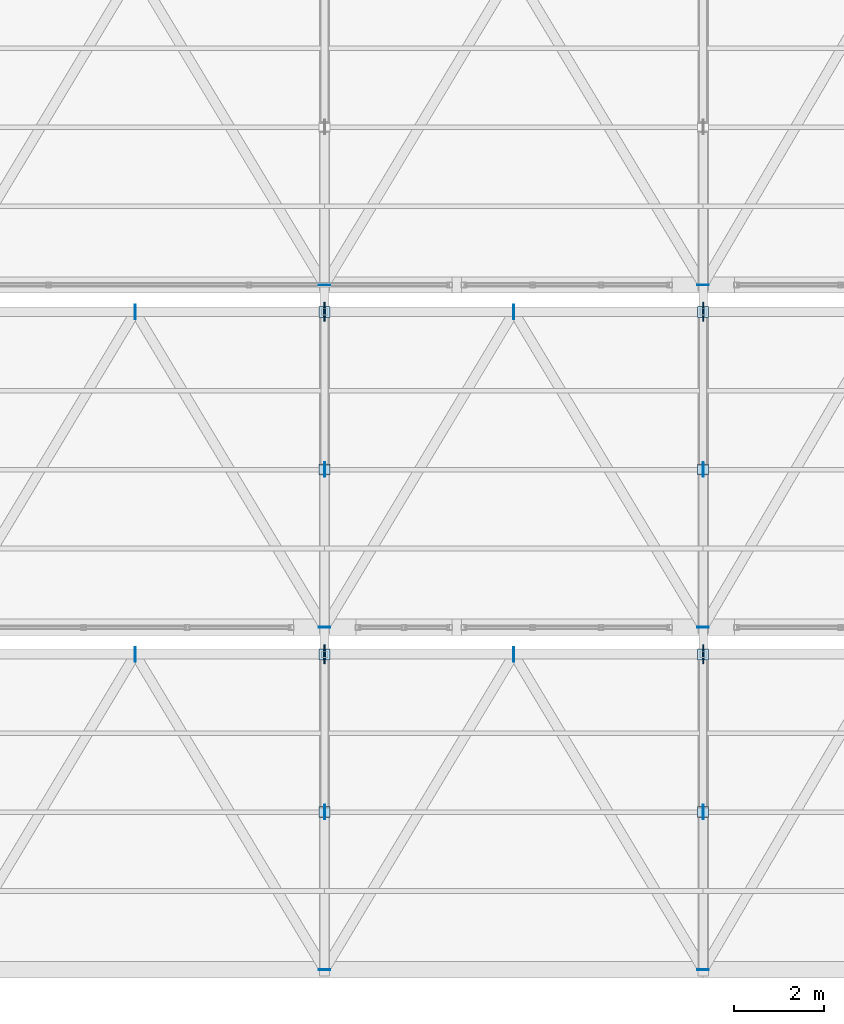
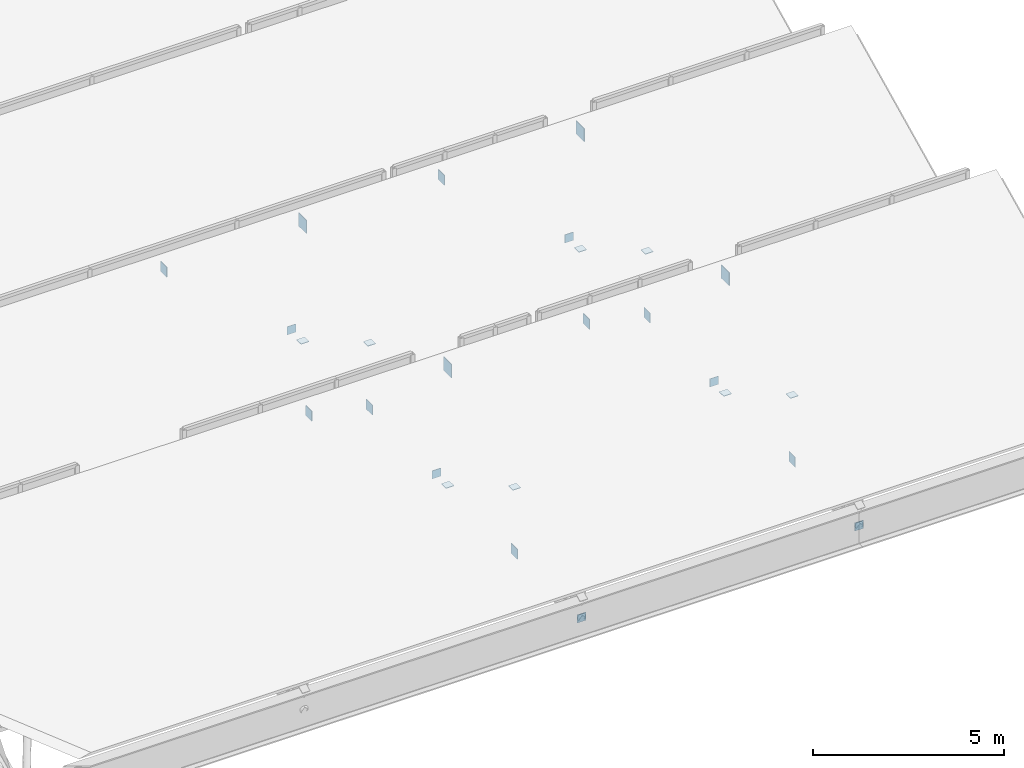
# One storey, part 45 of 57: 26 plates.
"""IFC4 building model written with IfcOpenShell, lengths in metres."""

from ifc_helpers import new_model, si_unit, direction, frame, origin, origin_2d, place, context, subcontext, project, spatial, rectangle, extrude, material, layer, layer_set, type_object, element, save


model = new_model("IFC4")

# Units and contexts
model_context = context("Model", 3, precision=1e-05, world=origin(), true_north=direction((0.0, 1.0)))
body_context = subcontext(model_context, "Body", "Model", "MODEL_VIEW")
ifc_project = project(units=[si_unit("LENGTHUNIT", "METRE"), si_unit("AREAUNIT", "SQUARE_METRE"), si_unit("VOLUMEUNIT", "CUBIC_METRE"), si_unit("PLANEANGLEUNIT", "RADIAN"), si_unit("MASSUNIT", "GRAM", prefix="KILO")], contexts=[model_context])

# Site, building, storey
site_placement = place(None, origin())
site = spatial("IfcSite", under=ifc_project, at=site_placement, CompositionType="ELEMENT")
building_placement = place(site_placement, origin())
building = spatial("IfcBuilding", under=site, at=building_placement, Name="Zuvorla Pavilion Media Centre", CompositionType="ELEMENT")
storey_placement = place(building_placement, frame((0.0, 0.0, 18.0)))
storey = spatial("IfcBuildingStorey", under=building, at=storey_placement, Name="L04", CompositionType="ELEMENT", Elevation=18.0)

# Plates
ifc_material = material(Name="Steel S355", Category="steel")
ifc_layer_1 = layer(ifc_material, 0.01611328125)
ifc_layer_set_1 = layer_set([ifc_layer_1], Name="Steel S355")
plate_type_1 = type_object("IfcPlateType", Name="PLT-CAP-16", PredefinedType="USERDEFINED", material=ifc_layer_set_1)
for number, where, z_axis, x_axis, name in (
    (1, (142.39990234375, 6.0, -1.009765625), (0.0, 0.0, 1.0), (1.0, 0.0, 0.0), "L04 cap plate CP16 98"),
    (2, (150.800048828125, 6.0, -1.009765625), (0.0, 0.0, 1.0), (1.0, 0.0, 0.0), "L04 cap plate CP16 100"),
    (3, (142.39990234375, 13.60009765625, -1.009765625), (0.0, 0.0, 1.0), (1.0, 0.0, 0.0), "L04 cap plate CP16 110"),
    (4, (150.800048828125, 13.60009765625, -1.009765625), (0.0, 0.0, 1.0), (1.0, 0.0, 0.0), "L04 cap plate CP16 112"),
    (5, (142.39990234375, 21.199951171875, -1.009765625), (0.0, 0.0, 1.0), (1.0, 0.0, 0.0), "L04 cap plate CP16 122"),
    (6, (150.800048828125, 21.199951171875, -1.009765625), (0.0, 0.0, 1.0), (1.0, 0.0, 0.0), "L04 cap plate CP16 124"),
):
    element("IfcPlate", number, at=place(storey_placement, frame(where, z_axis=z_axis, x_axis=x_axis)), inside=storey, type_object=plate_type_1, Name=name, ObjectType="CAP_PLATE", PredefinedType="USERDEFINED", context=body_context, shape_type="SweptSolid", body=[
        extrude(rectangle(XDim=0.260009765625, YDim=0.01611328125, at=origin_2d()), origin(), (0.0, 0.0, 1.0), 0.260009765625),
    ])
for number, where, z_axis, x_axis, name in (
    (7, (142.39990234375, 13.0, -0.887939453125), (0.0, 0.0, 1.0), (1.0, 0.0, 0.0), "L04 cap plate CP16 401"),
    (8, (142.39990234375, 9.5, 1.171875), (0.0, 0.0, 1.0), (1.0, 0.0, 0.0), "L04 cap plate CP16 403"),
    (9, (150.800048828125, 13.0, -0.887939453125), (0.0, 0.0, 1.0), (1.0, 0.0, 0.0), "L04 cap plate CP16 404"),
    (10, (150.800048828125, 9.5, 1.171875), (0.0, 0.0, 1.0), (1.0, 0.0, 0.0), "L04 cap plate CP16 406"),
    (11, (142.39990234375, 20.60009765625, -0.887939453125), (0.0, 0.0, 1.0), (1.0, 0.0, 0.0), "L04 cap plate CP16 424"),
    (12, (142.39990234375, 17.10009765625, 1.171875), (0.0, 0.0, 1.0), (1.0, 0.0, 0.0), "L04 cap plate CP16 426"),
    (13, (150.800048828125, 20.60009765625, -0.887939453125), (0.0, 0.0, 1.0), (1.0, 0.0, 0.0), "L04 cap plate CP16 427"),
    (14, (150.800048828125, 17.10009765625, 1.171875), (0.0, 0.0, 1.0), (1.0, 0.0, 0.0), "L04 cap plate CP16 429"),
):
    element("IfcPlate", number, at=place(storey_placement, frame(where, z_axis=z_axis, x_axis=x_axis)), inside=storey, type_object=plate_type_1, Name=name, ObjectType="CAP_PLATE", PredefinedType="USERDEFINED", context=body_context, shape_type="SweptSolid", body=[
        extrude(rectangle(XDim=0.239990234375, YDim=0.239990234375, at=origin_2d()), origin(), (0.0, 0.0, 1.0), 0.01611328125),
    ])
ifc_layer_2 = layer(ifc_material, 0.02001953125)
ifc_layer_set_2 = layer_set([ifc_layer_2], Name="Steel S355")
plate_type_2 = type_object("IfcPlateType", Name="PLT-GUS-20", PredefinedType="USERDEFINED", material=ifc_layer_set_2)
for number, where, z_axis, x_axis, name in (
    (15, (142.39990234375, 9.5, -1.0400390625), (0.0, 0.0, 1.0), (1.0, 0.0, 0.0), "L04 gusset plate GP20 402"),
    (16, (150.800048828125, 9.5, -1.0400390625), (0.0, 0.0, 1.0), (1.0, 0.0, 0.0), "L04 gusset plate GP20 405"),
    (17, (138.199951171875, 13.0, 2.7197265625), (0.0, 0.0, 1.0), (1.0, 0.0, 0.0), "L04 gusset plate GP20 412"),
    (18, (146.60009765625, 13.0, 2.7197265625), (0.0, 0.0, 1.0), (1.0, 0.0, 0.0), "L04 gusset plate GP20 413"),
    (19, (142.39990234375, 17.10009765625, -1.0400390625), (0.0, 0.0, 1.0), (1.0, 0.0, 0.0), "L04 gusset plate GP20 425"),
    (20, (150.800048828125, 17.10009765625, -1.0400390625), (0.0, 0.0, 1.0), (1.0, 0.0, 0.0), "L04 gusset plate GP20 428"),
    (21, (138.199951171875, 20.60009765625, 2.7197265625), (0.0, 0.0, 1.0), (1.0, 0.0, 0.0), "L04 gusset plate GP20 435"),
    (22, (146.60009765625, 20.60009765625, 2.7197265625), (0.0, 0.0, 1.0), (1.0, 0.0, 0.0), "L04 gusset plate GP20 436"),
):
    element("IfcPlate", number, at=place(storey_placement, frame(where, z_axis=z_axis, x_axis=x_axis)), inside=storey, type_object=plate_type_2, Name=name, ObjectType="GUSSET_PLATE", PredefinedType="USERDEFINED", context=body_context, shape_type="SweptSolid", body=[
        extrude(rectangle(XDim=0.02001953125, YDim=0.320068359375, at=origin_2d()), origin(), (0.0, 0.0, 1.0), 0.320068359375),
    ])
ifc_layer_3 = layer(ifc_material, 0.02490234375)
ifc_layer_set_3 = layer_set([ifc_layer_3], Name="Steel S355")
plate_type_3 = type_object("IfcPlateType", Name="PLT-GUS-25", PredefinedType="USERDEFINED", material=ifc_layer_set_3)
for number, where, z_axis, x_axis, name in (
    (23, (142.39990234375, 13.0, 2.672119140625), (0.0, 0.0, 1.0), (1.0, 0.0, 0.0), "L04 gusset plate GP25 97"),
    (24, (150.800048828125, 13.0, 2.672119140625), (0.0, 0.0, 1.0), (1.0, 0.0, 0.0), "L04 gusset plate GP25 99"),
    (25, (142.39990234375, 20.60009765625, 2.672119140625), (0.0, 0.0, 1.0), (1.0, 0.0, 0.0), "L04 gusset plate GP25 109"),
    (26, (150.800048828125, 20.60009765625, 2.672119140625), (0.0, 0.0, 1.0), (1.0, 0.0, 0.0), "L04 gusset plate GP25 111"),
):
    element("IfcPlate", number, at=place(storey_placement, frame(where, z_axis=z_axis, x_axis=x_axis)), inside=storey, type_object=plate_type_3, Name=name, ObjectType="GUSSET_PLATE", PredefinedType="USERDEFINED", context=body_context, shape_type="SweptSolid", body=[
        extrude(rectangle(XDim=0.02490234375, YDim=0.419921875, at=origin_2d()), origin(), (0.0, 0.0, 1.0), 0.419921875),
    ])

save(model, "model.ifc")
